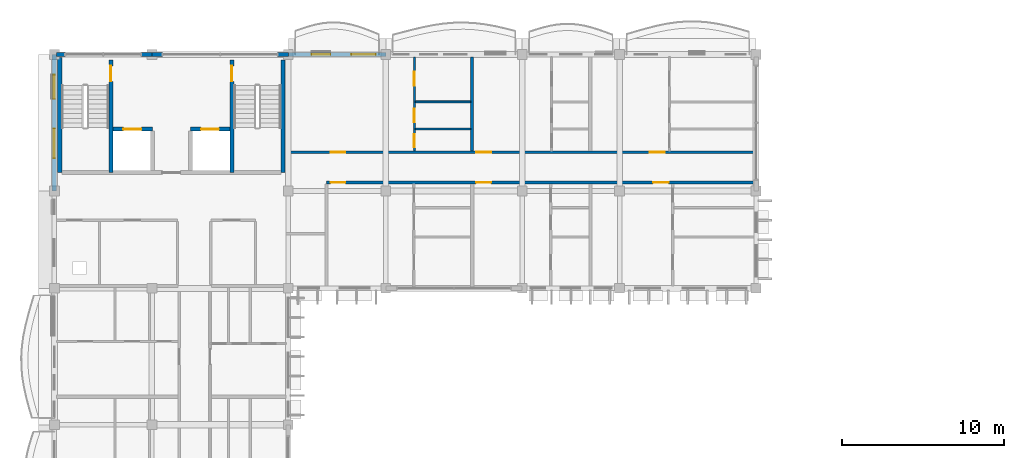
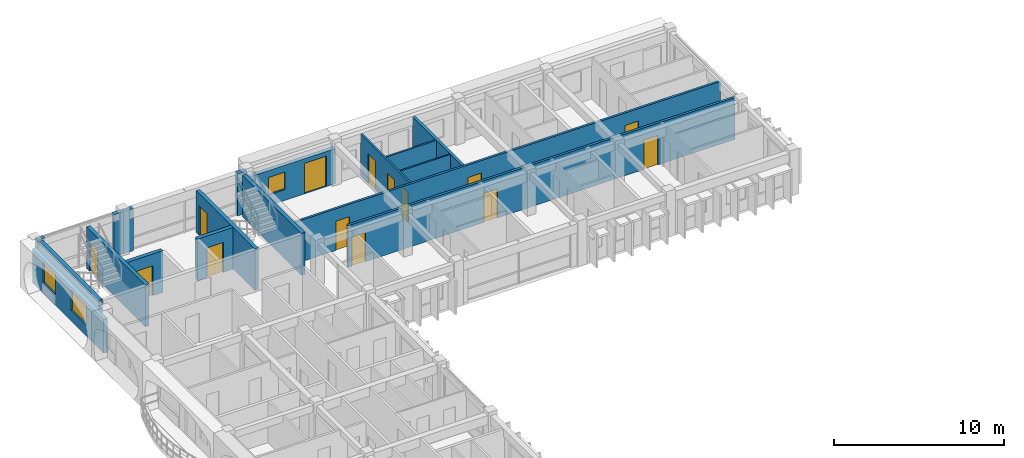
# One storey, part 27 of 54: 18 walls, 14 doors, 3 windows, 17 openings.
"""IFC4 building model written with IfcOpenShell, lengths in metres."""

from ifc_helpers import new_model, si_unit, direction, frame, frame_2d, origin, place, context, subcontext, project, spatial, rectangle, extrude, material, layer, layer_set, type_object, element, fill, save


model = new_model("IFC4")

# Units and contexts
model_context = context("Model", 3, precision=1e-05, world=origin(), true_north=direction((0.0, 1.0)))
body_context = subcontext(model_context, "Body", "Model", "MODEL_VIEW")
ifc_project = project(units=[si_unit("LENGTHUNIT", "METRE"), si_unit("AREAUNIT", "SQUARE_METRE"), si_unit("VOLUMEUNIT", "CUBIC_METRE"), si_unit("PLANEANGLEUNIT", "RADIAN"), si_unit("MASSUNIT", "GRAM", prefix="KILO"), si_unit("THERMODYNAMICTEMPERATUREUNIT", "KELVIN")], contexts=[model_context])

# Site, building, storey
site_placement = place(None, origin())
site = spatial("IfcSite", under=ifc_project, at=site_placement, CompositionType="ELEMENT")
building_placement = place(site_placement, origin())
building = spatial("IfcBuilding", under=site, at=building_placement, Name="Thalorik Housing Commons", CompositionType="ELEMENT")
storey_placement = place(building_placement, frame((0.0, 0.0, 31.199951171875)))
storey = spatial("IfcBuildingStorey", under=building, at=storey_placement, Name="L09", CompositionType="ELEMENT", Elevation=31.199951171875)

# Wall, opening, door
ifc_material_1 = material(Name="Concrete C40/50", Category="concrete")
ifc_layer_1 = layer(ifc_material_1, 0.25, Name="Concrete C40/50", Category="concrete")
ifc_layer_set_1 = layer_set([ifc_layer_1], Name="Concrete C40/50")
wall_type_1 = type_object("IfcWallType", Name="ARC-WAL-CORE-250", PredefinedType="SHEAR", material=ifc_layer_set_1)
wall_1_placement = place(storey_placement, frame((11.875, 123.25, 0.0), z_axis=(0.0, 0.0, 1.0), x_axis=(0.0, -1.0, 0.0)))
wall_1 = element("IfcWall", 1, at=wall_1_placement, inside=storey, type_object=wall_type_1, Name="L09 Core A Stair 1 Shear Wall", PredefinedType="SHEAR", context=body_context, shape_type="SweptSolid", body=[
    extrude(rectangle(XDim=6.925048828125, YDim=0.25, at=frame_2d((3.46240234375, 0.0))), origin(), (0.0, 0.0, 1.0), 3.0),
])
opening_1_placement = place(wall_1_placement, frame((0.35009765625, 0.0, 0.0)))
opening_1 = element("IfcOpeningElement", 2, at=opening_1_placement, cuts=wall_1, Name="Opening ID-0081", PredefinedType="OPENING", context=body_context, shape_type="SweptSolid", body=[
    extrude(rectangle(XDim=0.949951171875, YDim=2.10009765625, at=frame_2d((0.47509765625, 1.050048828125))), frame((0.0, 0.135009765625, 0.0), z_axis=(0.0, -1.0, 0.0), x_axis=(1.0, 0.0, 0.0)), (0.0, 0.0, 1.0), 0.27001953125),
])
ifc_material_2 = material(Name="Steel S355", Category="steel")
door_type_1 = type_object("IfcDoorType", Name="ARC-DR-FD60-950", OperationType="NOTDEFINED", PredefinedType="DOOR", material=ifc_material_2)
door_1_placement = place(opening_1_placement, origin())
door_1 = element("IfcDoor", 3, at=door_1_placement, inside=storey, type_object=door_type_1, Name="L09 Stair ST-A1 Fire Door", OperationType="SINGLE_SWING_RIGHT", OverallHeight=2.10009765625, OverallWidth=0.949951171875, PredefinedType="DOOR", context=body_context, shape_type="SweptSolid", body=[
    extrude(rectangle(XDim=0.949951171875, YDim=2.10009765625, at=frame_2d((0.47509765625, 1.050048828125))), frame((0.0, 0.02490234375, 0.0), z_axis=(0.0, -1.0, 0.0), x_axis=(1.0, 0.0, 0.0)), (0.0, 0.0, 1.0), 0.050048828125),
])
fill(opening_1, door_1)

# Walls
wall_2_placement = place(storey_placement, frame((8.72509765625, 123.39990234375, 0.0), z_axis=(0.0, 0.0, 1.0), x_axis=(0.0, -1.0, 0.0)))
element("IfcWall", 4, at=wall_2_placement, inside=storey, type_object=wall_type_1, Name="L09 Core A Stair 1 Outer Shear Wall", PredefinedType="SHEAR", context=body_context, shape_type="SweptSolid", body=[
    extrude(rectangle(XDim=7.074951171875, YDim=0.25, at=frame_2d((3.53759765625, 0.0))), origin(), (0.0, 0.0, 1.0), 3.0),
])
wall_3_placement = place(storey_placement, frame((22.47509765625, 123.25, 0.0), z_axis=(0.0, 0.0, 1.0), x_axis=(0.0, -1.0, 0.0)))
element("IfcWall", 5, at=wall_3_placement, inside=storey, type_object=wall_type_1, Name="L09 Core A Stair 2 Outer Shear Wall", PredefinedType="SHEAR", context=body_context, shape_type="SweptSolid", body=[
    extrude(rectangle(XDim=6.925048828125, YDim=0.25, at=frame_2d((3.46240234375, 0.0))), origin(), (0.0, 0.0, 1.0), 3.0),
])

# Wall, opening, door
wall_4_placement = place(storey_placement, frame((19.324951171875, 123.25, 0.0), z_axis=(0.0, 0.0, 1.0), x_axis=(0.0, -1.0, 0.0)))
wall_4 = element("IfcWall", 6, at=wall_4_placement, inside=storey, type_object=wall_type_1, Name="L09 Core A Stair 2 Shear Wall", PredefinedType="SHEAR", context=body_context, shape_type="SweptSolid", body=[
    extrude(rectangle(XDim=6.925048828125, YDim=0.25, at=frame_2d((3.46240234375, 0.0))), origin(), (0.0, 0.0, 1.0), 3.0),
])
opening_2_placement = place(wall_4_placement, frame((0.35009765625, 0.0, 0.0)))
opening_2 = element("IfcOpeningElement", 7, at=opening_2_placement, cuts=wall_4, Name="Opening ID-0082", PredefinedType="OPENING", context=body_context, shape_type="SweptSolid", body=[
    extrude(rectangle(XDim=0.949951171875, YDim=2.10009765625, at=frame_2d((0.47509765625, 1.050048828125))), frame((0.0, 0.135009765625, 0.0), z_axis=(0.0, -1.0, 0.0), x_axis=(1.0, 0.0, 0.0)), (0.0, 0.0, 1.0), 0.27001953125),
])
door_2_placement = place(opening_2_placement, origin())
door_2 = element("IfcDoor", 8, at=door_2_placement, inside=storey, type_object=door_type_1, Name="L09 Stair ST-A2 Fire Door", OperationType="SINGLE_SWING_LEFT", OverallHeight=2.10009765625, OverallWidth=0.949951171875, PredefinedType="DOOR", context=body_context, shape_type="SweptSolid", body=[
    extrude(rectangle(XDim=0.949951171875, YDim=2.10009765625, at=frame_2d((0.47509765625, 1.050048828125))), frame((0.0, 0.02490234375, 0.0), z_axis=(0.0, -1.0, 0.0), x_axis=(1.0, 0.0, 0.0)), (0.0, 0.0, 1.0), 0.050048828125),
])
fill(opening_2, door_2)

wall_5_placement = place(storey_placement, frame((12.0, 119.0, 0.0), z_axis=(0.0, 0.0, 1.0), x_axis=(1.0, 0.0, 0.0)))
wall_5 = element("IfcWall", 9, at=wall_5_placement, inside=storey, type_object=wall_type_1, Name="L09 Lift LF-A1 Front Shaft Wall", PredefinedType="SHEAR", context=body_context, shape_type="SweptSolid", body=[
    extrude(rectangle(XDim=2.425048828125, YDim=0.25, at=frame_2d((1.21240234375, 0.0))), origin(), (0.0, 0.0, 1.0), 3.0),
])
opening_3_placement = place(wall_5_placement, frame((0.64990234375, 0.0, 0.0)))
opening_3 = element("IfcOpeningElement", 10, at=opening_3_placement, cuts=wall_5, Name="Opening LD-LF-A1-L09", PredefinedType="OPENING", context=body_context, shape_type="SweptSolid", body=[
    extrude(rectangle(XDim=1.10009765625, YDim=2.14990234375, at=frame_2d((0.550048828125, 1.074951171875))), frame((0.0, 0.135009765625, 0.0), z_axis=(0.0, -1.0, 0.0), x_axis=(1.0, 0.0, 0.0)), (0.0, 0.0, 1.0), 0.27001953125),
])
door_type_2 = type_object("IfcDoorType", Name="ARC-DR-LIFT-1100", OperationType="NOTDEFINED", PredefinedType="DOOR", material=ifc_material_2)
door_3_placement = place(opening_3_placement, origin())
door_3 = element("IfcDoor", 11, at=door_3_placement, inside=storey, type_object=door_type_2, Name="L09 Lift LF-A1 Landing Door", OperationType="SLIDING_TO_LEFT", OverallHeight=2.14990234375, OverallWidth=1.10009765625, PredefinedType="DOOR", context=body_context, shape_type="SweptSolid", body=[
    extrude(rectangle(XDim=1.10009765625, YDim=2.14990234375, at=frame_2d((0.550048828125, 1.074951171875))), frame((0.0, 0.02490234375, 0.0), z_axis=(0.0, -1.0, 0.0), x_axis=(1.0, 0.0, 0.0)), (0.0, 0.0, 1.0), 0.050048828125),
])
fill(opening_3, door_3)

wall_6_placement = place(storey_placement, frame((16.77490234375, 119.0, 0.0), z_axis=(0.0, 0.0, 1.0), x_axis=(1.0, 0.0, 0.0)))
wall_6 = element("IfcWall", 12, at=wall_6_placement, inside=storey, type_object=wall_type_1, Name="L09 Lift LP-A2 Front Shaft Wall", PredefinedType="SHEAR", context=body_context, shape_type="SweptSolid", body=[
    extrude(rectangle(XDim=2.425048828125, YDim=0.25, at=frame_2d((1.21240234375, 0.0))), origin(), (0.0, 0.0, 1.0), 3.0),
])
opening_4_placement = place(wall_6_placement, frame((0.64990234375, 0.0, 0.0)))
opening_4 = element("IfcOpeningElement", 13, at=opening_4_placement, cuts=wall_6, Name="Opening LD-LP-A2-L09", PredefinedType="OPENING", context=body_context, shape_type="SweptSolid", body=[
    extrude(rectangle(XDim=1.10009765625, YDim=2.14990234375, at=frame_2d((0.550048828125, 1.074951171875))), frame((0.0, 0.135009765625, 0.0), z_axis=(0.0, -1.0, 0.0), x_axis=(1.0, 0.0, 0.0)), (0.0, 0.0, 1.0), 0.27001953125),
])
door_4_placement = place(opening_4_placement, origin())
door_4 = element("IfcDoor", 14, at=door_4_placement, inside=storey, type_object=door_type_2, Name="L09 Lift LP-A2 Landing Door", OperationType="SLIDING_TO_LEFT", OverallHeight=2.14990234375, OverallWidth=1.10009765625, PredefinedType="DOOR", context=body_context, shape_type="SweptSolid", body=[
    extrude(rectangle(XDim=1.10009765625, YDim=2.14990234375, at=frame_2d((0.550048828125, 1.074951171875))), frame((0.0, 0.02490234375, 0.0), z_axis=(0.0, -1.0, 0.0), x_axis=(1.0, 0.0, 0.0)), (0.0, 0.0, 1.0), 0.050048828125),
])
fill(opening_4, door_4)

# Wall, openings, doors
ifc_material_3 = material(Name="Masonry fire-rated corridor wall", Category="masonry")
ifc_layer_2 = layer(ifc_material_3, 0.14990234375, Name="Masonry fire-rated corridor wall", Category="masonry")
ifc_layer_set_2 = layer_set([ifc_layer_2], Name="Masonry fire-rated corridor wall")
wall_type_2 = type_object("IfcWallType", Name="ARC-WAL-CORR-150", PredefinedType="PARTITIONING", material=ifc_layer_set_2)
wall_7_placement = place(storey_placement, frame((22.659912109375, 117.580078125, 0.0), z_axis=(0.0, 0.0, 1.0), x_axis=(1.0, 0.0, 0.0)))
wall_7 = element("IfcWall", 15, at=wall_7_placement, inside=storey, type_object=wall_type_2, Name="L09 Block A N Corridor Wall 2", PredefinedType="PARTITIONING", context=body_context, shape_type="SweptSolid", body=[
    extrude(rectangle(XDim=28.880126953125, YDim=0.14990234375, at=frame_2d((14.43994140625, 0.0))), origin(), (0.0, 0.0, 1.0), 3.0),
])
opening_5_placement = place(wall_7_placement, frame((2.739990234375, 0.0, 0.0)))
opening_5 = element("IfcOpeningElement", 16, at=opening_5_placement, cuts=wall_7, Name="Opening ID-0786", PredefinedType="OPENING", context=body_context, shape_type="SweptSolid", body=[
    extrude(rectangle(XDim=0.919921875, YDim=2.10009765625, at=frame_2d((0.4599609375, 1.050048828125))), frame((0.0, 0.0849609375, 0.0), z_axis=(0.0, -1.0, 0.0), x_axis=(1.0, 0.0, 0.0)), (0.0, 0.0, 1.0), 0.169921875),
])
opening_6_placement = place(wall_7_placement, frame((11.7099609375, 0.0, 0.0)))
opening_6 = element("IfcOpeningElement", 17, at=opening_6_placement, cuts=wall_7, Name="Opening ID-0787", PredefinedType="OPENING", context=body_context, shape_type="SweptSolid", body=[
    extrude(rectangle(XDim=0.919921875, YDim=2.10009765625, at=frame_2d((0.4599609375, 1.050048828125))), frame((0.0, 0.0849609375, 0.0), z_axis=(0.0, -1.0, 0.0), x_axis=(1.0, 0.0, 0.0)), (0.0, 0.0, 1.0), 0.169921875),
])
opening_7_placement = place(wall_7_placement, frame((22.397216796875, 0.0, 0.0)))
opening_7 = element("IfcOpeningElement", 18, at=opening_7_placement, cuts=wall_7, Name="Opening ID-0788", PredefinedType="OPENING", context=body_context, shape_type="SweptSolid", body=[
    extrude(rectangle(XDim=0.919921875, YDim=2.10009765625, at=frame_2d((0.4599609375, 1.050048828125))), frame((0.0, 0.0849609375, 0.0), z_axis=(0.0, -1.0, 0.0), x_axis=(1.0, 0.0, 0.0)), (0.0, 0.0, 1.0), 0.169921875),
])
ifc_material_4 = material(Name="Solid core hardwood timber", Category="wood")
door_type_3 = type_object("IfcDoorType", Name="ARC-DR-FD30-920", OperationType="NOTDEFINED", PredefinedType="DOOR", material=ifc_material_4)
door_5_placement = place(opening_5_placement, origin())
door_5 = element("IfcDoor", 19, at=door_5_placement, inside=storey, type_object=door_type_3, Name="L09 Flat AN-1B Entrance Door", OperationType="SINGLE_SWING_LEFT", OverallHeight=2.10009765625, OverallWidth=0.919921875, PredefinedType="DOOR", context=body_context, shape_type="SweptSolid", body=[
    extrude(rectangle(XDim=0.919921875, YDim=2.10009765625, at=frame_2d((0.4599609375, 1.050048828125))), frame((0.0, 0.02490234375, 0.0), z_axis=(0.0, -1.0, 0.0), x_axis=(1.0, 0.0, 0.0)), (0.0, 0.0, 1.0), 0.050048828125),
])
fill(opening_5, door_5)
door_6_placement = place(opening_6_placement, origin())
door_6 = element("IfcDoor", 20, at=door_6_placement, inside=storey, type_object=door_type_3, Name="L09 Flat AN-2B Entrance Door", OperationType="SINGLE_SWING_RIGHT", OverallHeight=2.10009765625, OverallWidth=0.919921875, PredefinedType="DOOR", context=body_context, shape_type="SweptSolid", body=[
    extrude(rectangle(XDim=0.919921875, YDim=2.10009765625, at=frame_2d((0.4599609375, 1.050048828125))), frame((0.0, 0.02490234375, 0.0), z_axis=(0.0, -1.0, 0.0), x_axis=(1.0, 0.0, 0.0)), (0.0, 0.0, 1.0), 0.050048828125),
])
fill(opening_6, door_6)
door_7_placement = place(opening_7_placement, origin())
door_7 = element("IfcDoor", 21, at=door_7_placement, inside=storey, type_object=door_type_3, Name="L09 Flat AN-3B Entrance Door", OperationType="SINGLE_SWING_LEFT", OverallHeight=2.10009765625, OverallWidth=0.919921875, PredefinedType="DOOR", context=body_context, shape_type="SweptSolid", body=[
    extrude(rectangle(XDim=0.919921875, YDim=2.10009765625, at=frame_2d((0.4599609375, 1.050048828125))), frame((0.0, 0.02490234375, 0.0), z_axis=(0.0, -1.0, 0.0), x_axis=(1.0, 0.0, 0.0)), (0.0, 0.0, 1.0), 0.050048828125),
])
fill(opening_7, door_7)

ifc_layer_3 = layer(ifc_material_3, 0.1650390625, Name="Masonry fire-rated corridor wall", Category="masonry")
ifc_layer_set_3 = layer_set([ifc_layer_3], Name="Masonry fire-rated corridor wall")
wall_type_3 = type_object("IfcWallType", Name="ARC-WAL-CORR-165", PredefinedType="PARTITIONING", material=ifc_layer_set_3)
wall_8_placement = place(storey_placement, frame((25.14990234375, 115.719970703125, 0.0), z_axis=(0.0, 0.0, 1.0), x_axis=(1.0, 0.0, 0.0)))
wall_8 = element("IfcWall", 22, at=wall_8_placement, inside=storey, type_object=wall_type_3, Name="L09 Block A N Corridor Wall 1", PredefinedType="PARTITIONING", context=body_context, shape_type="SweptSolid", body=[
    extrude(rectangle(XDim=26.310546875, YDim=0.1650390625, at=frame_2d((13.1552734375, 0.0))), origin(), (0.0, 0.0, 1.0), 3.0),
])
opening_8_placement = place(wall_8_placement, frame((0.25, 0.0, 0.0)))
opening_8 = element("IfcOpeningElement", 23, at=opening_8_placement, cuts=wall_8, Name="Opening ID-0783", PredefinedType="OPENING", context=body_context, shape_type="SweptSolid", body=[
    extrude(rectangle(XDim=0.919921875, YDim=2.10009765625, at=frame_2d((0.4599609375, 1.050048828125))), frame((0.0, 0.092529296875, 0.0), z_axis=(0.0, -1.0, 0.0), x_axis=(1.0, 0.0, 0.0)), (0.0, 0.0, 1.0), 0.18505859375),
])
opening_9_placement = place(wall_8_placement, frame((9.219970703125, 0.0, 0.0)))
opening_9 = element("IfcOpeningElement", 24, at=opening_9_placement, cuts=wall_8, Name="Opening ID-0784", PredefinedType="OPENING", context=body_context, shape_type="SweptSolid", body=[
    extrude(rectangle(XDim=0.919921875, YDim=2.10009765625, at=frame_2d((0.4599609375, 1.050048828125))), frame((0.0, 0.092529296875, 0.0), z_axis=(0.0, -1.0, 0.0), x_axis=(1.0, 0.0, 0.0)), (0.0, 0.0, 1.0), 0.18505859375),
])
opening_10_placement = place(wall_8_placement, frame((20.110107421875, 0.0, 0.0)))
opening_10 = element("IfcOpeningElement", 25, at=opening_10_placement, cuts=wall_8, Name="Opening ID-0785", PredefinedType="OPENING", context=body_context, shape_type="SweptSolid", body=[
    extrude(rectangle(XDim=0.9599609375, YDim=2.1201171875, at=frame_2d((0.47998046875, 1.06005859375))), frame((0.0, 0.092529296875, 0.0), z_axis=(0.0, -1.0, 0.0), x_axis=(1.0, 0.0, 0.0)), (0.0, 0.0, 1.0), 0.18505859375),
])
door_8_placement = place(opening_8_placement, origin())
door_8 = element("IfcDoor", 26, at=door_8_placement, inside=storey, type_object=door_type_3, Name="L09 Flat AN-1A Entrance Door", OperationType="SINGLE_SWING_RIGHT", OverallHeight=2.10009765625, OverallWidth=0.919921875, PredefinedType="DOOR", context=body_context, shape_type="SweptSolid", body=[
    extrude(rectangle(XDim=0.919921875, YDim=2.10009765625, at=frame_2d((0.4599609375, 1.050048828125))), frame((0.0, 0.02490234375, 0.0), z_axis=(0.0, -1.0, 0.0), x_axis=(1.0, 0.0, 0.0)), (0.0, 0.0, 1.0), 0.050048828125),
])
fill(opening_8, door_8)
door_9_placement = place(opening_9_placement, origin())
door_9 = element("IfcDoor", 27, at=door_9_placement, inside=storey, type_object=door_type_3, Name="L09 Flat AN-2A Entrance Door", OperationType="SINGLE_SWING_LEFT", OverallHeight=2.10009765625, OverallWidth=0.919921875, PredefinedType="DOOR", context=body_context, shape_type="SweptSolid", body=[
    extrude(rectangle(XDim=0.919921875, YDim=2.10009765625, at=frame_2d((0.4599609375, 1.050048828125))), frame((0.0, 0.02490234375, 0.0), z_axis=(0.0, -1.0, 0.0), x_axis=(1.0, 0.0, 0.0)), (0.0, 0.0, 1.0), 0.050048828125),
])
fill(opening_9, door_9)
door_type_4 = type_object("IfcDoorType", Name="ARC-DR-FD30-960", OperationType="NOTDEFINED", PredefinedType="DOOR", material=ifc_material_4)
door_10_placement = place(opening_10_placement, origin())
door_10 = element("IfcDoor", 28, at=door_10_placement, inside=storey, type_object=door_type_4, Name="L09 Flat AN-3A Entrance Door", OperationType="SINGLE_SWING_RIGHT", OverallHeight=2.1201171875, OverallWidth=0.9599609375, PredefinedType="DOOR", context=body_context, shape_type="SweptSolid", body=[
    extrude(rectangle(XDim=0.9599609375, YDim=2.1201171875, at=frame_2d((0.47998046875, 1.06005859375))), frame((0.0, 0.02490234375, 0.0), z_axis=(0.0, -1.0, 0.0), x_axis=(1.0, 0.0, 0.0)), (0.0, 0.0, 1.0), 0.050048828125),
])
fill(opening_10, door_10)

# Wall, openings, door, window
ifc_material_5 = material(Name="White precast concrete C40/50", Category="concrete")
ifc_layer_4 = layer(ifc_material_5, 0.27490234375, Name="White precast concrete C40/50", Category="concrete")
ifc_layer_set_4 = layer_set([ifc_layer_4], Name="White precast concrete C40/50")
wall_type_4 = type_object("IfcWallType", Name="ARC-WAL-EXT-275", PredefinedType="STANDARD", material=ifc_layer_set_4)
wall_9_placement = place(storey_placement, frame((28.800048828125, 123.60009765625, 0.0), z_axis=(0.0, 0.0, 1.0), x_axis=(-1.0, 0.0, 0.0)))
wall_9 = element("IfcWall", 29, at=wall_9_placement, inside=storey, type_object=wall_type_4, Name="L09 Exterior Wall WAL-EXT-L09-A-0244", PredefinedType="STANDARD", context=body_context, shape_type="SweptSolid", body=[
    extrude(rectangle(XDim=6.0, YDim=0.27490234375, at=frame_2d((3.0, 0.0))), origin(), (0.0, 0.0, 1.0), 2.525146484375),
])
opening_11_placement = place(wall_9_placement, frame((0.6201171875, 0.0, 0.0)))
opening_11 = element("IfcOpeningElement", 30, at=opening_11_placement, cuts=wall_9, Name="Opening ED-0078", PredefinedType="OPENING", context=body_context, shape_type="SweptSolid", body=[
    extrude(rectangle(XDim=1.5, YDim=2.199951171875, at=frame_2d((0.75, 1.10009765625))), frame((0.0, 0.1474609375, 0.0), z_axis=(0.0, -1.0, 0.0), x_axis=(1.0, 0.0, 0.0)), (0.0, 0.0, 1.0), 0.294921875),
])
opening_12_placement = place(wall_9_placement, frame((3.4150390625, 0.0, 0.780029296875)))
opening_12 = element("IfcOpeningElement", 31, at=opening_12_placement, cuts=wall_9, Name="Opening W-45", PredefinedType="OPENING", context=body_context, shape_type="SweptSolid", body=[
    extrude(rectangle(XDim=1.14990234375, YDim=1.25, at=frame_2d((0.574951171875, 0.625))), frame((0.0, 0.1474609375, 0.0), z_axis=(0.0, -1.0, 0.0), x_axis=(1.0, 0.0, 0.0)), (0.0, 0.0, 1.0), 0.294921875),
])
ifc_material_6 = material(Name="Anodised aluminium and laminated safety glass", Category="aluminium")
door_type_5 = type_object("IfcDoorType", Name="ARC-DR-BAL-1500", OperationType="NOTDEFINED", PredefinedType="DOOR", material=ifc_material_6)
door_11_placement = place(opening_11_placement, frame((1.5, 0.0, 0.0), z_axis=(0.0, 0.0, 1.0), x_axis=(-1.0, 0.0, 0.0)))
door_11 = element("IfcDoor", 32, at=door_11_placement, inside=storey, type_object=door_type_5, Name="L09 Block A Balcony Glazed Door", OperationType="SLIDING_TO_RIGHT", OverallHeight=2.199951171875, OverallWidth=1.5, PredefinedType="DOOR", context=body_context, shape_type="SweptSolid", body=[
    extrude(rectangle(XDim=1.5, YDim=2.199951171875, at=frame_2d((0.75, 1.10009765625))), frame((0.0, 0.02490234375, 0.0), z_axis=(0.0, -1.0, 0.0), x_axis=(1.0, 0.0, 0.0)), (0.0, 0.0, 1.0), 0.050048828125),
])
fill(opening_11, door_11)
ifc_material_7 = material(Name="Anodised aluminium and solar-control low-E glass", Category="aluminium")
window_type_1 = type_object("IfcWindowType", Name="ARC-WIN-45", PartitioningType="SINGLE_PANEL", PredefinedType="WINDOW", material=ifc_material_7)
window_1_placement = place(opening_12_placement, origin())
window_1 = element("IfcWindow", 33, at=window_1_placement, inside=storey, type_object=window_type_1, Name="L09 Facade Window 441", OverallHeight=1.25, OverallWidth=1.14990234375, PartitioningType="SINGLE_PANEL", PredefinedType="WINDOW", context=body_context, shape_type="SweptSolid", body=[
    extrude(rectangle(XDim=1.14990234375, YDim=1.25, at=frame_2d((0.574951171875, 0.625))), frame((0.0, 0.030029296875, 0.0), z_axis=(0.0, -1.0, 0.0), x_axis=(1.0, 0.0, 0.0)), (0.0, 0.0, 1.0), 0.06005859375),
])
fill(opening_12, window_1)

# Walls
for number, where, z_axis, x_axis, name in (
    (34, (22.800048828125, 123.60009765625, 0.0), (0.0, 0.0, 1.0), (-1.0, 0.0, 0.0), "L09 Exterior Wall WAL-PIERL-L09-A-0245"),
    (35, (15.050048828125, 123.60009765625, 0.0), (0.0, 0.0, 1.0), (-1.0, 0.0, 0.0), "L09 Exterior Wall WAL-PIERR-L09-A-0245"),
):
    element("IfcWall", number, at=place(storey_placement, frame(where, z_axis=z_axis, x_axis=x_axis)), inside=storey, type_object=wall_type_4, Name=name, PredefinedType="STANDARD", context=body_context, shape_type="SweptSolid", body=[
        extrude(rectangle(XDim=0.650146484375, YDim=0.27490234375, at=frame_2d((0.3251953125, 0.0))), origin(), (0.0, 0.0, 1.0), 3.0400390625),
    ])
wall_10_placement = place(storey_placement, frame((14.39990234375, 123.60009765625, 0.0), z_axis=(0.0, 0.0, 1.0), x_axis=(-1.0, 0.0, 0.0)))
element("IfcWall", 36, at=wall_10_placement, inside=storey, type_object=wall_type_4, Name="L09 Exterior Wall WAL-PIERL-L09-A-0246", PredefinedType="STANDARD", context=body_context, shape_type="SweptSolid", body=[
    extrude(rectangle(XDim=0.64990234375, YDim=0.27490234375, at=frame_2d((0.324951171875, 0.0))), origin(), (0.0, 0.0, 1.0), 3.0400390625),
])
wall_11_placement = place(storey_placement, frame((9.050048828125, 123.60009765625, 0.0), z_axis=(0.0, 0.0, 1.0), x_axis=(-1.0, 0.0, 0.0)))
element("IfcWall", 37, at=wall_11_placement, inside=storey, type_object=wall_type_4, Name="L09 Exterior Wall WAL-PIERR-L09-A-0246", PredefinedType="STANDARD", context=body_context, shape_type="SweptSolid", body=[
    extrude(rectangle(XDim=0.510498046875, YDim=0.27490234375, at=frame_2d((0.25537109375, 0.0))), origin(), (0.0, 0.0, 1.0), 3.0400390625),
])

# Wall, openings, windows
wall_12_placement = place(storey_placement, frame((8.39990234375, 123.60009765625, 0.0), z_axis=(0.0, 0.0, 1.0), x_axis=(0.0, -1.0, 0.0)))
wall_12 = element("IfcWall", 38, at=wall_12_placement, inside=storey, type_object=wall_type_4, Name="L09 Exterior Wall WAL-EXT-L09-A-0247", PredefinedType="STANDARD", context=body_context, shape_type="SweptSolid", body=[
    extrude(rectangle(XDim=8.400146484375, YDim=0.27490234375, at=frame_2d((4.2001953125, 0.0))), origin(), (0.0, 0.0, 1.0), 2.425048828125),
])
opening_13_placement = place(wall_12_placement, frame((1.25634765625, 0.0, 0.780029296875)))
opening_13 = element("IfcOpeningElement", 39, at=opening_13_placement, cuts=wall_12, Name="Opening W-51", PredefinedType="OPENING", context=body_context, shape_type="SweptSolid", body=[
    extrude(rectangle(XDim=1.47998046875, YDim=1.52001953125, at=frame_2d((0.739990234375, 0.760009765625))), frame((0.0, 0.1474609375, 0.0), z_axis=(0.0, -1.0, 0.0), x_axis=(1.0, 0.0, 0.0)), (0.0, 0.0, 1.0), 0.294921875),
])
opening_14_placement = place(wall_12_placement, frame((4.55859375, 0.0, 0.780029296875)))
opening_14 = element("IfcOpeningElement", 40, at=opening_14_placement, cuts=wall_12, Name="Opening W-58", PredefinedType="OPENING", context=body_context, shape_type="SweptSolid", body=[
    extrude(rectangle(XDim=1.820068359375, YDim=1.4599609375, at=frame_2d((0.91015625, 0.72998046875))), frame((0.0, 0.1474609375, 0.0), z_axis=(0.0, -1.0, 0.0), x_axis=(1.0, 0.0, 0.0)), (0.0, 0.0, 1.0), 0.294921875),
])
window_type_2 = type_object("IfcWindowType", Name="ARC-WIN-51", PartitioningType="SINGLE_PANEL", PredefinedType="WINDOW", material=ifc_material_7)
window_2_placement = place(opening_13_placement, origin())
window_2 = element("IfcWindow", 41, at=window_2_placement, inside=storey, type_object=window_type_2, Name="L09 Facade Window 442", OverallHeight=1.52001953125, OverallWidth=1.47998046875, PartitioningType="SINGLE_PANEL", PredefinedType="WINDOW", context=body_context, shape_type="SweptSolid", body=[
    extrude(rectangle(XDim=1.47998046875, YDim=1.52001953125, at=frame_2d((0.739990234375, 0.760009765625))), frame((0.0, 0.030029296875, 0.0), z_axis=(0.0, -1.0, 0.0), x_axis=(1.0, 0.0, 0.0)), (0.0, 0.0, 1.0), 0.06005859375),
])
fill(opening_13, window_2)
window_type_3 = type_object("IfcWindowType", Name="ARC-WIN-58", PartitioningType="DOUBLE_PANEL_VERTICAL", PredefinedType="WINDOW", material=ifc_material_7)
window_3_placement = place(opening_14_placement, origin())
window_3 = element("IfcWindow", 42, at=window_3_placement, inside=storey, type_object=window_type_3, Name="L09 Facade Window 443", OverallHeight=1.4599609375, OverallWidth=1.820068359375, PartitioningType="DOUBLE_PANEL_VERTICAL", PredefinedType="WINDOW", context=body_context, shape_type="SweptSolid", body=[
    extrude(rectangle(XDim=1.820068359375, YDim=1.4599609375, at=frame_2d((0.91015625, 0.72998046875))), frame((0.0, 0.030029296875, 0.0), z_axis=(0.0, -1.0, 0.0), x_axis=(1.0, 0.0, 0.0)), (0.0, 0.0, 1.0), 0.06005859375),
])
fill(opening_14, window_3)

# Walls
ifc_material_8 = material(Name="Gypsum light stud partition", Category="masonry")
ifc_layer_5 = layer(ifc_material_8, 0.10009765625, Name="Gypsum light stud partition", Category="masonry")
ifc_layer_set_5 = layer_set([ifc_layer_5], Name="Gypsum light stud partition")
wall_type_5 = type_object("IfcWallType", Name="ARC-WAL-PART-100", PredefinedType="PARTITIONING", material=ifc_layer_set_5)
wall_13_placement = place(storey_placement, frame((30.6201171875, 119.010498046875, 0.0), z_axis=(0.0, 0.0, 1.0), x_axis=(1.0, 0.0, 0.0)))
element("IfcWall", 43, at=wall_13_placement, inside=storey, type_object=wall_type_5, Name="L09 Unit 1B Wet Wall", PredefinedType="PARTITIONING", context=body_context, shape_type="SweptSolid", body=[
    extrude(rectangle(XDim=3.4052734375, YDim=0.10009765625, at=frame_2d((1.70263671875, 0.0))), origin(), (0.0, 0.0, 1.0), 3.0),
])
ifc_material_9 = material(Name="Gypsum moisture-resistant partition", Category="masonry")
ifc_layer_6 = layer(ifc_material_9, 0.114990234375, Name="Gypsum moisture-resistant partition", Category="masonry")
ifc_layer_set_6 = layer_set([ifc_layer_6], Name="Gypsum moisture-resistant partition")
wall_type_6 = type_object("IfcWallType", Name="ARC-WAL-PART-115", PredefinedType="PARTITIONING", material=ifc_layer_set_6)
wall_14_placement = place(storey_placement, frame((30.6201171875, 120.67919921875, 0.0), z_axis=(0.0, 0.0, 1.0), x_axis=(1.0, 0.0, 0.0)))
element("IfcWall", 44, at=wall_14_placement, inside=storey, type_object=wall_type_6, Name="L09 Unit 1B Bedroom Partition", PredefinedType="PARTITIONING", context=body_context, shape_type="SweptSolid", body=[
    extrude(rectangle(XDim=3.4052734375, YDim=0.114990234375, at=frame_2d((1.70263671875, 0.0))), origin(), (0.0, 0.0, 1.0), 3.0),
])

# Wall, openings, doors
ifc_material_10 = material(Name="Gypsum acoustic stud partition", Category="masonry")
ifc_layer_7 = layer(ifc_material_10, 0.125, Name="Gypsum acoustic stud partition", Category="masonry")
ifc_layer_set_7 = layer_set([ifc_layer_7], Name="Gypsum acoustic stud partition")
wall_type_7 = type_object("IfcWallType", Name="ARC-WAL-PART-125", PredefinedType="PARTITIONING", material=ifc_layer_set_7)
wall_15_placement = place(storey_placement, frame((30.5556640625, 117.656982421875, 0.0), z_axis=(0.0, 0.0, 1.0), x_axis=(0.0, 1.0, 0.0)))
wall_15 = element("IfcWall", 45, at=wall_15_placement, inside=storey, type_object=wall_type_7, Name="L09 Unit 1B Spine Partition", PredefinedType="PARTITIONING", context=body_context, shape_type="SweptSolid", body=[
    extrude(rectangle(XDim=5.803466796875, YDim=0.125, at=frame_2d((2.90185546875, 0.0))), origin(), (0.0, 0.0, 1.0), 3.0),
])
opening_15_placement = place(wall_15_placement, frame((0.23828125, 0.0, 0.0)))
opening_15 = element("IfcOpeningElement", 46, at=opening_15_placement, cuts=wall_15, Name="Opening ID-0768", PredefinedType="OPENING", context=body_context, shape_type="SweptSolid", body=[
    extrude(rectangle(XDim=0.800048828125, YDim=2.10009765625, at=frame_2d((0.39990234375, 1.050048828125))), frame((0.0, 0.072509765625, 0.0), z_axis=(0.0, -1.0, 0.0), x_axis=(1.0, 0.0, 0.0)), (0.0, 0.0, 1.0), 0.14501953125),
])
opening_16_placement = place(wall_15_placement, frame((1.7626953125, 0.0, 0.0)))
opening_16 = element("IfcOpeningElement", 47, at=opening_16_placement, cuts=wall_15, Name="Opening ID-0769", PredefinedType="OPENING", context=body_context, shape_type="SweptSolid", body=[
    extrude(rectangle(XDim=0.85009765625, YDim=2.10009765625, at=frame_2d((0.425048828125, 1.050048828125))), frame((0.0, 0.072509765625, 0.0), z_axis=(0.0, -1.0, 0.0), x_axis=(1.0, 0.0, 0.0)), (0.0, 0.0, 1.0), 0.14501953125),
])
opening_17_placement = place(wall_15_placement, frame((4.027587890625, 0.0, 0.0)))
opening_17 = element("IfcOpeningElement", 48, at=opening_17_placement, cuts=wall_15, Name="Opening ID-0770", PredefinedType="OPENING", context=body_context, shape_type="SweptSolid", body=[
    extrude(rectangle(XDim=0.85009765625, YDim=2.10009765625, at=frame_2d((0.425048828125, 1.050048828125))), frame((0.0, 0.072509765625, 0.0), z_axis=(0.0, -1.0, 0.0), x_axis=(1.0, 0.0, 0.0)), (0.0, 0.0, 1.0), 0.14501953125),
])
ifc_material_11 = material(Name="Moisture-resistant timber", Category="wood")
door_type_6 = type_object("IfcDoorType", Name="ARC-DR-INT-800", OperationType="NOTDEFINED", PredefinedType="DOOR", material=ifc_material_11)
door_12_placement = place(opening_15_placement, origin())
door_12 = element("IfcDoor", 49, at=door_12_placement, inside=storey, type_object=door_type_6, Name="L09 Accessible Bathroom Door", OperationType="SINGLE_SWING_LEFT", OverallHeight=2.10009765625, OverallWidth=0.800048828125, PredefinedType="DOOR", context=body_context, shape_type="SweptSolid", body=[
    extrude(rectangle(XDim=0.800048828125, YDim=2.10009765625, at=frame_2d((0.39990234375, 1.050048828125))), frame((0.0, 0.02490234375, 0.0), z_axis=(0.0, -1.0, 0.0), x_axis=(1.0, 0.0, 0.0)), (0.0, 0.0, 1.0), 0.050048828125),
])
fill(opening_15, door_12)
ifc_material_12 = material(Name="Engineered oak timber", Category="wood")
door_type_7 = type_object("IfcDoorType", Name="ARC-DR-INT-850", OperationType="NOTDEFINED", PredefinedType="DOOR", material=ifc_material_12)
door_13_placement = place(opening_16_placement, origin())
door_13 = element("IfcDoor", 50, at=door_13_placement, inside=storey, type_object=door_type_7, Name="L09 Eat-In Kitchen Door", OperationType="SINGLE_SWING_RIGHT", OverallHeight=2.10009765625, OverallWidth=0.85009765625, PredefinedType="DOOR", context=body_context, shape_type="SweptSolid", body=[
    extrude(rectangle(XDim=0.85009765625, YDim=2.10009765625, at=frame_2d((0.425048828125, 1.050048828125))), frame((0.0, 0.02490234375, 0.0), z_axis=(0.0, -1.0, 0.0), x_axis=(1.0, 0.0, 0.0)), (0.0, 0.0, 1.0), 0.050048828125),
])
fill(opening_16, door_13)
door_14_placement = place(opening_17_placement, origin())
door_14 = element("IfcDoor", 51, at=door_14_placement, inside=storey, type_object=door_type_7, Name="L09 Master Bedroom Door", OperationType="SINGLE_SWING_LEFT", OverallHeight=2.10009765625, OverallWidth=0.85009765625, PredefinedType="DOOR", context=body_context, shape_type="SweptSolid", body=[
    extrude(rectangle(XDim=0.85009765625, YDim=2.10009765625, at=frame_2d((0.425048828125, 1.050048828125))), frame((0.0, 0.02490234375, 0.0), z_axis=(0.0, -1.0, 0.0), x_axis=(1.0, 0.0, 0.0)), (0.0, 0.0, 1.0), 0.050048828125),
])
fill(opening_17, door_14)

# Wall
ifc_material_13 = material(Name="Masonry acoustic blockwork wall", Category="masonry")
ifc_layer_8 = layer(ifc_material_13, 0.18505859375, Name="Masonry acoustic blockwork wall", Category="masonry")
ifc_layer_set_8 = layer_set([ifc_layer_8], Name="Masonry acoustic blockwork wall")
wall_type_8 = type_object("IfcWallType", Name="ARC-WAL-PARTY-185", PredefinedType="PARTITIONING", material=ifc_layer_set_8)
wall_16_placement = place(storey_placement, frame((34.1201171875, 117.656982421875, 0.0), z_axis=(0.0, 0.0, 1.0), x_axis=(0.0, 1.0, 0.0)))
element("IfcWall", 52, at=wall_16_placement, inside=storey, type_object=wall_type_8, Name="L09 Inter-Tenancy Wall 1B", PredefinedType="PARTITIONING", context=body_context, shape_type="SweptSolid", body=[
    extrude(rectangle(XDim=5.803466796875, YDim=0.18505859375, at=frame_2d((2.90185546875, 0.0))), origin(), (0.0, 0.0, 1.0), 3.0),
])

save(model, "model.ifc")
